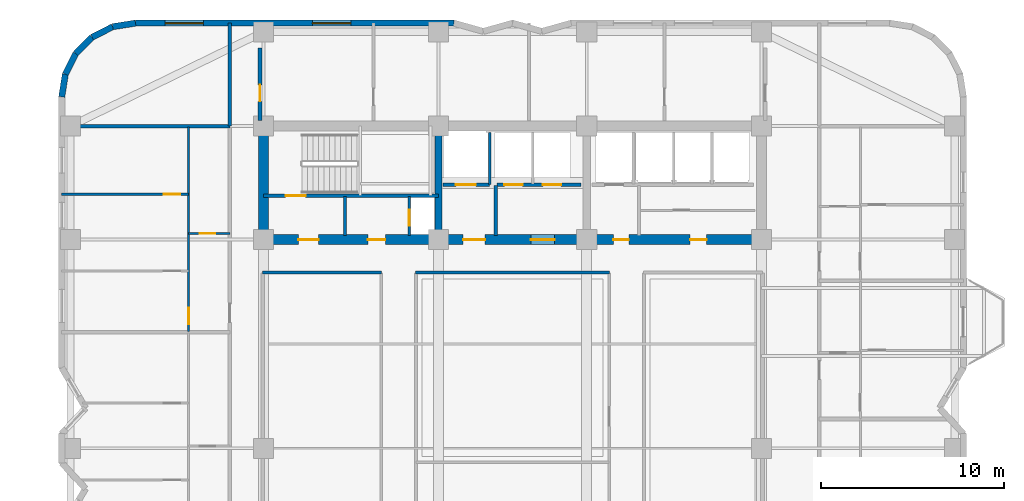
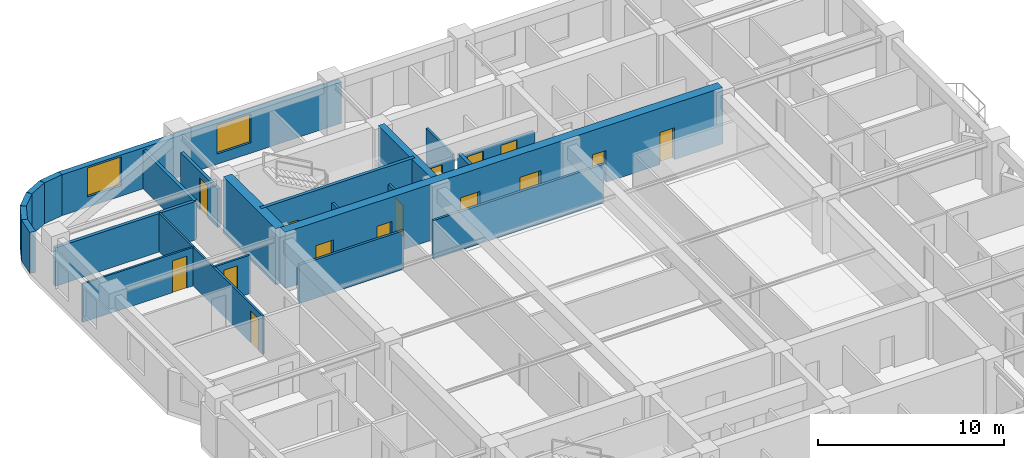
# One storey, part 6 of 11: 24 walls, 15 doors, 2 windows, 17 openings.
"""IFC4 building model written with IfcOpenShell, lengths in metres."""

from ifc_helpers import new_model, si_unit, direction, frame, frame_2d, origin, place, context, subcontext, project, spatial, rectangle, extrude, material, layer, layer_set, type_object, element, fill, save


model = new_model("IFC4")

# Units and contexts
model_context = context("Model", 3, precision=1e-05, world=origin(), true_north=direction((0.0, 1.0)))
body_context = subcontext(model_context, "Body", "Model", "MODEL_VIEW")
ifc_project = project(units=[si_unit("LENGTHUNIT", "METRE"), si_unit("AREAUNIT", "SQUARE_METRE"), si_unit("VOLUMEUNIT", "CUBIC_METRE"), si_unit("PLANEANGLEUNIT", "RADIAN"), si_unit("MASSUNIT", "GRAM", prefix="KILO")], contexts=[model_context])

# Site, building, storey
site_placement = place(None, origin())
site = spatial("IfcSite", under=ifc_project, at=site_placement, CompositionType="ELEMENT")
building_placement = place(site_placement, origin())
building = spatial("IfcBuilding", under=site, at=building_placement, Name="Svetorya Sky Lyceum", CompositionType="ELEMENT")
storey_placement = place(building_placement, frame((0.0, 0.0, 106.800048828125)))
storey = spatial("IfcBuildingStorey", under=building, at=storey_placement, Name="L26", CompositionType="ELEMENT", Elevation=106.800048828125)

# Walls
ifc_material_1 = material(Name="Concrete C40/50", Category="concrete")
ifc_layer_1 = layer(ifc_material_1, 0.39990234375)
ifc_layer_set_1 = layer_set([ifc_layer_1], Name="Concrete C40/50")
wall_type_1 = type_object("IfcWallType", Name="WL-CORE-400", PredefinedType="SHEAR", material=ifc_layer_set_1)
wall_1_placement = place(storey_placement, frame((35.14990234375, 39.875, 0.0), z_axis=(0.0, 0.0, 1.0), x_axis=(0.0, 1.0, 0.0)))
element("IfcWall", 1, at=wall_1_placement, inside=storey, type_object=wall_type_1, Name="L26 NC Internal Shear Web WEB1", PredefinedType="SHEAR", context=body_context, shape_type="SweptSolid", body=[
    extrude(rectangle(XDim=5.64990234375, YDim=0.39990234375, at=frame_2d((2.824951171875, 0.0))), origin(), (0.0, 0.0, 1.0), 3.699951171875),
])
ifc_material_2 = material(Name="Concrete C60/75", Category="concrete")
ifc_layer_2 = layer(ifc_material_2, 0.550048828125)
ifc_layer_set_2 = layer_set([ifc_layer_2], Name="Concrete C60/75")
wall_type_2 = type_object("IfcWallType", Name="WL-CORE-550", PredefinedType="SHEAR", material=ifc_layer_set_2)
wall_2_placement = place(storey_placement, frame((25.60009765625, 39.875, 0.0), z_axis=(0.0, 0.0, 1.0), x_axis=(0.0, 1.0, 0.0)))
element("IfcWall", 2, at=wall_2_placement, inside=storey, type_object=wall_type_2, Name="L26 NC West Core Shear Wall", PredefinedType="SHEAR", context=body_context, shape_type="SweptSolid", body=[
    extrude(rectangle(XDim=5.64990234375, YDim=0.550048828125, at=frame_2d((2.824951171875, 0.0))), origin(), (0.0, 0.0, 1.0), 3.699951171875),
])

# Wall, openings, doors
wall_3_placement = place(storey_placement, frame((52.800048828125, 39.60009765625, 0.0), z_axis=(0.0, 0.0, 1.0), x_axis=(-1.0, 0.0, 0.0)))
wall_3 = element("IfcWall", 3, at=wall_3_placement, inside=storey, type_object=wall_type_2, Name="L26 NC Inner Core Shear Wall", PredefinedType="SHEAR", context=body_context, shape_type="SweptSolid", body=[
    extrude(rectangle(XDim=27.199951171875, YDim=0.550048828125, at=frame_2d((13.60009765625, 0.0))), origin(), (0.0, 0.0, 1.0), 3.699951171875),
])
opening_1_placement = place(wall_3_placement, frame((24.199951171875, 0.0, 0.0)))
opening_1 = element("IfcOpeningElement", 4, at=opening_1_placement, cuts=wall_3, Name="Opening D-ST1", PredefinedType="OPENING", context=body_context, shape_type="SweptSolid", body=[
    extrude(rectangle(XDim=1.10009765625, YDim=2.14990234375, at=frame_2d((0.550048828125, 1.074951171875))), frame((0.0, 0.284912109375, 0.0), z_axis=(0.0, -1.0, 0.0), x_axis=(1.0, 0.0, 0.0)), (0.0, 0.0, 1.0), 0.570068359375),
])
opening_2_placement = place(wall_3_placement, frame((20.550048828125, 0.0, 0.0)))
opening_2 = element("IfcOpeningElement", 5, at=opening_2_placement, cuts=wall_3, Name="Opening D-CAC1", PredefinedType="OPENING", context=body_context, shape_type="SweptSolid", body=[
    extrude(rectangle(XDim=0.949951171875, YDim=2.10009765625, at=frame_2d((0.47509765625, 1.050048828125))), frame((0.0, 0.284912109375, 0.0), z_axis=(0.0, -1.0, 0.0), x_axis=(1.0, 0.0, 0.0)), (0.0, 0.0, 1.0), 0.570068359375),
])
opening_3_placement = place(wall_3_placement, frame((15.10009765625, 0.0, 0.0)))
opening_3 = element("IfcOpeningElement", 6, at=opening_3_placement, cuts=wall_3, Name="Opening D-FL1", PredefinedType="OPENING", context=body_context, shape_type="SweptSolid", body=[
    extrude(rectangle(XDim=1.199951171875, YDim=2.14990234375, at=frame_2d((0.60009765625, 1.074951171875))), frame((0.0, 0.284912109375, 0.0), z_axis=(0.0, -1.0, 0.0), x_axis=(1.0, 0.0, 0.0)), (0.0, 0.0, 1.0), 0.570068359375),
])
opening_4_placement = place(wall_3_placement, frame((11.300048828125, 0.0, 0.0)))
opening_4 = element("IfcOpeningElement", 7, at=opening_4_placement, cuts=wall_3, Name="Opening D-LB1", PredefinedType="OPENING", context=body_context, shape_type="SweptSolid", body=[
    extrude(rectangle(XDim=1.300048828125, YDim=2.199951171875, at=frame_2d((0.64990234375, 1.10009765625))), frame((0.0, 0.284912109375, 0.0), z_axis=(0.0, -1.0, 0.0), x_axis=(1.0, 0.0, 0.0)), (0.0, 0.0, 1.0), 0.570068359375),
])
opening_5_placement = place(wall_3_placement, frame((7.25, 0.0, 0.0)))
opening_5 = element("IfcOpeningElement", 8, at=opening_5_placement, cuts=wall_3, Name="Opening D-CWC1", PredefinedType="OPENING", context=body_context, shape_type="SweptSolid", body=[
    extrude(rectangle(XDim=0.85009765625, YDim=2.10009765625, at=frame_2d((0.425048828125, 1.050048828125))), frame((0.0, 0.284912109375, 0.0), z_axis=(0.0, -1.0, 0.0), x_axis=(1.0, 0.0, 0.0)), (0.0, 0.0, 1.0), 0.570068359375),
])
opening_6_placement = place(wall_3_placement, frame((3.0, 0.0, 0.0)))
opening_6 = element("IfcOpeningElement", 9, at=opening_6_placement, cuts=wall_3, Name="Opening D-RM1", PredefinedType="OPENING", context=body_context, shape_type="SweptSolid", body=[
    extrude(rectangle(XDim=0.89990234375, YDim=2.10009765625, at=frame_2d((0.449951171875, 1.050048828125))), frame((0.0, 0.284912109375, 0.0), z_axis=(0.0, -1.0, 0.0), x_axis=(1.0, 0.0, 0.0)), (0.0, 0.0, 1.0), 0.570068359375),
])
ifc_material_3 = material(Name="Fire-rated galvanized steel core accessible WC door", Category="steel")
door_type_1 = type_object("IfcDoorType", Name="DR-CACC-950", OperationType="SINGLE_SWING_LEFT", PredefinedType="DOOR", material=ifc_material_3)
door_1_placement = place(opening_2_placement, origin())
door_1 = element("IfcDoor", 10, at=door_1_placement, inside=storey, type_object=door_type_1, Name="L26 North Core Accessible WC Door", OperationType="SINGLE_SWING_RIGHT", OverallHeight=2.10009765625, OverallWidth=0.949951171875, PredefinedType="DOOR", context=body_context, shape_type="SweptSolid", body=[
    extrude(rectangle(XDim=0.949951171875, YDim=2.10009765625, at=frame_2d((0.47509765625, 1.050048828125))), frame((0.0, 0.02490234375, 0.0), z_axis=(0.0, -1.0, 0.0), x_axis=(1.0, 0.0, 0.0)), (0.0, 0.0, 1.0), 0.050048828125),
])
fill(opening_2, door_1)
ifc_material_4 = material(Name="Fire-rated galvanized steel core service closet door", Category="steel")
door_type_2 = type_object("IfcDoorType", Name="DR-CWET-850", OperationType="SINGLE_SWING_LEFT", PredefinedType="DOOR", material=ifc_material_4)
door_2_placement = place(opening_5_placement, origin())
door_2 = element("IfcDoor", 11, at=door_2_placement, inside=storey, type_object=door_type_2, Name="L26 Mid-Rise Lift PM3 Lobby Door", OperationType="SINGLE_SWING_LEFT", OverallHeight=2.10009765625, OverallWidth=0.85009765625, PredefinedType="DOOR", context=body_context, shape_type="SweptSolid", body=[
    extrude(rectangle(XDim=0.85009765625, YDim=2.10009765625, at=frame_2d((0.425048828125, 1.050048828125))), frame((0.0, 0.02490234375, 0.0), z_axis=(0.0, -1.0, 0.0), x_axis=(1.0, 0.0, 0.0)), (0.0, 0.0, 1.0), 0.050048828125),
])
fill(opening_5, door_2)
ifc_material_5 = material(Name="Powder-coated insulated galvanized stair fire door")
door_type_3 = type_object("IfcDoorType", Name="DR-FIRE-1100", OperationType="SINGLE_SWING_LEFT", PredefinedType="DOOR", material=ifc_material_5)
door_3_placement = place(opening_1_placement, origin())
door_3 = element("IfcDoor", 12, at=door_3_placement, inside=storey, type_object=door_type_3, Name="L26 North Stair Airlock Door", OperationType="SINGLE_SWING_LEFT", OverallHeight=2.14990234375, OverallWidth=1.10009765625, PredefinedType="DOOR", context=body_context, shape_type="SweptSolid", body=[
    extrude(rectangle(XDim=1.10009765625, YDim=2.14990234375, at=frame_2d((0.550048828125, 1.074951171875))), frame((0.0, 0.02490234375, 0.0), z_axis=(0.0, -1.0, 0.0), x_axis=(1.0, 0.0, 0.0)), (0.0, 0.0, 1.0), 0.050048828125),
])
fill(opening_1, door_3)
ifc_material_6 = material(Name="Powder-coated insulated galvanized fire door")
door_type_4 = type_object("IfcDoorType", Name="DR-FIRE-1200", OperationType="SINGLE_SWING_LEFT", PredefinedType="DOOR", material=ifc_material_6)
door_4_placement = place(opening_3_placement, origin())
door_4 = element("IfcDoor", 13, at=door_4_placement, inside=storey, type_object=door_type_4, Name="L26 North Firefighting Lift Lobby Door", OperationType="SINGLE_SWING_RIGHT", OverallHeight=2.14990234375, OverallWidth=1.199951171875, PredefinedType="DOOR", context=body_context, shape_type="SweptSolid", body=[
    extrude(rectangle(XDim=1.199951171875, YDim=2.14990234375, at=frame_2d((0.60009765625, 1.074951171875))), frame((0.0, 0.02490234375, 0.0), z_axis=(0.0, -1.0, 0.0), x_axis=(1.0, 0.0, 0.0)), (0.0, 0.0, 1.0), 0.050048828125),
])
fill(opening_3, door_4)
ifc_material_7 = material(Name="Lacquered birch veneer internal door")
door_type_5 = type_object("IfcDoorType", Name="DR-INT-900", OperationType="SINGLE_SWING_LEFT", PredefinedType="DOOR", material=ifc_material_7)
door_5_placement = place(opening_6_placement, origin())
door_5 = element("IfcDoor", 14, at=door_5_placement, inside=storey, type_object=door_type_5, Name="L26 Mid-Rise Pantry Door", OperationType="SINGLE_SWING_LEFT", OverallHeight=2.10009765625, OverallWidth=0.89990234375, PredefinedType="DOOR", context=body_context, shape_type="SweptSolid", body=[
    extrude(rectangle(XDim=0.89990234375, YDim=2.10009765625, at=frame_2d((0.449951171875, 1.050048828125))), frame((0.0, 0.02490234375, 0.0), z_axis=(0.0, -1.0, 0.0), x_axis=(1.0, 0.0, 0.0)), (0.0, 0.0, 1.0), 0.050048828125),
])
fill(opening_6, door_5)
ifc_material_8 = material(Name="Glazed fire-rated aluminium lobby door", Category="aluminium")
door_type_6 = type_object("IfcDoorType", Name="DR-LOB-1300", OperationType="SINGLE_SWING_LEFT", PredefinedType="DOOR", material=ifc_material_8)
door_6_placement = place(opening_4_placement, origin())
door_6 = element("IfcDoor", 15, at=door_6_placement, inside=storey, type_object=door_type_6, Name="L26 Mid-Rise Lift Lobby West Door", OperationType="SINGLE_SWING_LEFT", OverallHeight=2.199951171875, OverallWidth=1.300048828125, PredefinedType="DOOR", context=body_context, shape_type="SweptSolid", body=[
    extrude(rectangle(XDim=1.300048828125, YDim=2.199951171875, at=frame_2d((0.64990234375, 1.10009765625))), frame((0.0, 0.02490234375, 0.0), z_axis=(0.0, -1.0, 0.0), x_axis=(1.0, 0.0, 0.0)), (0.0, 0.0, 1.0), 0.050048828125),
])
fill(opening_4, door_6)

# Wall, openings, windows
ifc_material_9 = material(Name="Putilovo limestone rainscreen on autoclaved cellular masonry", Category="masonry")
ifc_layer_3 = layer(ifc_material_9, 0.340087890625)
ifc_layer_set_3 = layer_set([ifc_layer_3], Name="Putilovo limestone rainscreen on autoclaved cellular masonry")
wall_type_3 = type_object("IfcWallType", Name="WL-EXT-340", PredefinedType="SOLIDWALL", material=ifc_layer_set_3)
wall_4_placement = place(storey_placement, frame((36.0, 51.429931640625, 0.0), z_axis=(0.0, 0.0, 1.0), x_axis=(-1.0, 0.0, 0.0)))
wall_4 = element("IfcWall", 16, at=wall_4_placement, inside=storey, type_object=wall_type_3, Name="L26 Limestone Exterior Wall 34M", PredefinedType="SOLIDWALL", context=body_context, shape_type="SweptSolid", body=[
    extrude(rectangle(XDim=17.39990234375, YDim=0.340087890625, at=frame_2d((8.699951171875, 0.0))), origin(), (0.0, 0.0, 1.0), 2.699951171875),
])
opening_7_placement = place(wall_4_placement, frame((5.637451171875, 0.0, 0.679931640625)))
opening_7 = element("IfcOpeningElement", 17, at=opening_7_placement, cuts=wall_4, Name="Opening W-R0", PredefinedType="OPENING", context=body_context, shape_type="SweptSolid", body=[
    extrude(rectangle(XDim=2.10009765625, YDim=1.89990234375, at=frame_2d((1.050048828125, 0.949951171875))), frame((0.0, 0.179931640625, 0.0), z_axis=(0.0, -1.0, 0.0), x_axis=(1.0, 0.0, 0.0)), (0.0, 0.0, 1.0), 0.360107421875),
])
opening_8_placement = place(wall_4_placement, frame((13.6875, 0.0, 0.679931640625)))
opening_8 = element("IfcOpeningElement", 18, at=opening_8_placement, cuts=wall_4, Name="Opening W-R0", PredefinedType="OPENING", context=body_context, shape_type="SweptSolid", body=[
    extrude(rectangle(XDim=2.10009765625, YDim=1.89990234375, at=frame_2d((1.050048828125, 0.949951171875))), frame((0.0, 0.179931640625, 0.0), z_axis=(0.0, -1.0, 0.0), x_axis=(1.0, 0.0, 0.0)), (0.0, 0.0, 1.0), 0.360107421875),
])
ifc_material_10 = material(Name="Thermally broken aluminium frame with triple low-E glazing", Category="aluminium")
window_type = type_object("IfcWindowType", Name="WN-RES-210", PartitioningType="TRIPLE_PANEL_VERTICAL", PredefinedType="WINDOW", material=ifc_material_10)
window_1_placement = place(opening_7_placement, origin())
window_1 = element("IfcWindow", 19, at=window_1_placement, inside=storey, type_object=window_type, Name="L26 Facade Window W-R0.34M.1", OverallHeight=1.89990234375, OverallWidth=2.10009765625, PartitioningType="SINGLE_PANEL", PredefinedType="WINDOW", context=body_context, shape_type="SweptSolid", body=[
    extrude(rectangle(XDim=2.10009765625, YDim=1.89990234375, at=frame_2d((1.050048828125, 0.949951171875))), frame((0.0, 0.030029296875, 0.0), z_axis=(0.0, -1.0, 0.0), x_axis=(1.0, 0.0, 0.0)), (0.0, 0.0, 1.0), 0.06005859375),
])
fill(opening_7, window_1)
window_2_placement = place(opening_8_placement, origin())
window_2 = element("IfcWindow", 20, at=window_2_placement, inside=storey, type_object=window_type, Name="L26 Facade Window W-R0.34M.2", OverallHeight=1.89990234375, OverallWidth=2.10009765625, PartitioningType="SINGLE_PANEL", PredefinedType="WINDOW", context=body_context, shape_type="SweptSolid", body=[
    extrude(rectangle(XDim=2.10009765625, YDim=1.89990234375, at=frame_2d((1.050048828125, 0.949951171875))), frame((0.0, 0.030029296875, 0.0), z_axis=(0.0, -1.0, 0.0), x_axis=(1.0, 0.0, 0.0)), (0.0, 0.0, 1.0), 0.06005859375),
])
fill(opening_8, window_2)

# Walls
wall_5_placement = place(storey_placement, frame((18.60009765625, 51.429931640625, 0.0), z_axis=(0.0, 0.0, 1.0), x_axis=(-0.98771582066, -0.156260864002, 0.0)))
element("IfcWall", 21, at=wall_5_placement, inside=storey, type_object=wall_type_3, Name="L26 Limestone Exterior Wall 35M", PredefinedType="SOLIDWALL", context=body_context, shape_type="SweptSolid", body=[
    extrude(rectangle(XDim=1.2607421875, YDim=0.340087890625, at=frame_2d((0.63037109375, 0.0))), origin(), (0.0, 0.0, 1.0), 2.699951171875),
])
for number, where, z_axis, x_axis, name in (
    (22, (17.354736328125, 51.23291015625, 0.0), (0.0, 0.0, 1.0), (-0.890993689142, -0.454015689056, 0.0), "L26 Limestone Exterior Wall 36M"),
    (23, (16.231201171875, 50.660400390625, 0.0), (0.0, 0.0, 1.0), (-0.707106781187, -0.707106781187, 0.0), "L26 Limestone Exterior Wall 37M"),
    (24, (15.339599609375, 49.768798828125, 0.0), (0.0, 0.0, 1.0), (-0.454015689056, -0.890993689142, 0.0), "L26 Limestone Exterior Wall 38M"),
):
    element("IfcWall", number, at=place(storey_placement, frame(where, z_axis=z_axis, x_axis=x_axis)), inside=storey, type_object=wall_type_3, Name=name, PredefinedType="SOLIDWALL", context=body_context, shape_type="SweptSolid", body=[
        extrude(rectangle(XDim=1.260986328125, YDim=0.340087890625, at=frame_2d((0.63037109375, 0.0))), origin(), (0.0, 0.0, 1.0), 2.699951171875),
    ])
wall_6_placement = place(storey_placement, frame((14.76708984375, 48.645263671875, 0.0), z_axis=(0.0, 0.0, 1.0), x_axis=(-0.156260864002, -0.98771582066, 0.0)))
element("IfcWall", 25, at=wall_6_placement, inside=storey, type_object=wall_type_3, Name="L26 Limestone Exterior Wall 39M", PredefinedType="SOLIDWALL", context=body_context, shape_type="SweptSolid", body=[
    extrude(rectangle(XDim=1.2607421875, YDim=0.340087890625, at=frame_2d((0.63037109375, 0.0))), origin(), (0.0, 0.0, 1.0), 2.699951171875),
])

# Wall, opening, door
ifc_material_11 = material(Name="Twin-stud galvanized framing with double fireboard", Category="gypsum")
ifc_layer_4 = layer(ifc_material_11, 0.1201171875)
ifc_layer_set_4 = layer_set([ifc_layer_4], Name="Twin-stud galvanized framing with double fireboard")
wall_type_4 = type_object("IfcWallType", Name="WL-PART-120", PredefinedType="PARTITIONING", material=ifc_layer_set_4)
wall_7_placement = place(storey_placement, frame((21.5, 39.93603515625, 0.0), z_axis=(0.0, 0.0, 1.0), x_axis=(1.0, 0.0, 0.0)))
wall_7 = element("IfcWall", 26, at=wall_7_placement, inside=storey, type_object=wall_type_4, Name="L26 Interior Partition W3-WH1", PredefinedType="PARTITIONING", context=body_context, shape_type="SweptSolid", body=[
    extrude(rectangle(XDim=2.25, YDim=0.1201171875, at=frame_2d((1.125, 0.0))), origin(), (0.0, 0.0, 1.0), 2.530029296875),
])
opening_9_placement = place(wall_7_placement, frame((0.60009765625, 0.0, 0.0)))
opening_9 = element("IfcOpeningElement", 27, at=opening_9_placement, cuts=wall_7, Name="Opening D-BT1", PredefinedType="OPENING", context=body_context, shape_type="SweptSolid", body=[
    extrude(rectangle(XDim=0.85009765625, YDim=2.10009765625, at=frame_2d((0.425048828125, 1.050048828125))), frame((0.0, 0.070068359375, 0.0), z_axis=(0.0, -1.0, 0.0), x_axis=(1.0, 0.0, 0.0)), (0.0, 0.0, 1.0), 0.14013671875),
])
ifc_material_12 = material(Name="Moisture-resistant laminate bathroom door")
door_type_7 = type_object("IfcDoorType", Name="DR-WET-850", OperationType="SINGLE_SWING_LEFT", PredefinedType="DOOR", material=ifc_material_12)
door_7_placement = place(opening_9_placement, origin())
door_7 = element("IfcDoor", 28, at=door_7_placement, inside=storey, type_object=door_type_7, Name="Apartment W3 Bathroom Door", OperationType="SINGLE_SWING_LEFT", OverallHeight=2.10009765625, OverallWidth=0.85009765625, PredefinedType="DOOR", context=body_context, shape_type="SweptSolid", body=[
    extrude(rectangle(XDim=0.85009765625, YDim=2.10009765625, at=frame_2d((0.425048828125, 1.050048828125))), frame((0.0, 0.02490234375, 0.0), z_axis=(0.0, -1.0, 0.0), x_axis=(1.0, 0.0, 0.0)), (0.0, 0.0, 1.0), 0.050048828125),
])
fill(opening_9, door_7)

wall_8_placement = place(storey_placement, frame((14.570068359375, 42.0859375, 0.0), z_axis=(0.0, 0.0, 1.0), x_axis=(1.0, 0.0, 0.0)))
wall_8 = element("IfcWall", 29, at=wall_8_placement, inside=storey, type_object=wall_type_4, Name="L26 Interior Partition W3-WL2", PredefinedType="PARTITIONING", context=body_context, shape_type="SweptSolid", body=[
    extrude(rectangle(XDim=6.929931640625, YDim=0.1201171875, at=frame_2d((3.46484375, 0.0))), origin(), (0.0, 0.0, 1.0), 2.530029296875),
])
opening_10_placement = place(wall_8_placement, frame((5.580078125, 0.0, 0.0)))
opening_10 = element("IfcOpeningElement", 30, at=opening_10_placement, cuts=wall_8, Name="Opening D-RM1", PredefinedType="OPENING", context=body_context, shape_type="SweptSolid", body=[
    extrude(rectangle(XDim=0.89990234375, YDim=2.10009765625, at=frame_2d((0.449951171875, 1.050048828125))), frame((0.0, 0.070068359375, 0.0), z_axis=(0.0, -1.0, 0.0), x_axis=(1.0, 0.0, 0.0)), (0.0, 0.0, 1.0), 0.14013671875),
])
door_8_placement = place(opening_10_placement, origin())
door_8 = element("IfcDoor", 31, at=door_8_placement, inside=storey, type_object=door_type_5, Name="Apartment W3 Bedroom 2 Door", OperationType="SINGLE_SWING_RIGHT", OverallHeight=2.10009765625, OverallWidth=0.89990234375, PredefinedType="DOOR", context=body_context, shape_type="SweptSolid", body=[
    extrude(rectangle(XDim=0.89990234375, YDim=2.10009765625, at=frame_2d((0.449951171875, 1.050048828125))), frame((0.0, 0.02490234375, 0.0), z_axis=(0.0, -1.0, 0.0), x_axis=(1.0, 0.0, 0.0)), (0.0, 0.0, 1.0), 0.050048828125),
])
fill(opening_10, door_8)

wall_9_placement = place(storey_placement, frame((21.5, 34.575927734375, 0.0), z_axis=(0.0, 0.0, 1.0), x_axis=(0.0, 1.0, 0.0)))
wall_9 = element("IfcWall", 32, at=wall_9_placement, inside=storey, type_object=wall_type_4, Name="L26 Interior Partition W3-WV", PredefinedType="PARTITIONING", context=body_context, shape_type="SweptSolid", body=[
    extrude(rectangle(XDim=11.18408203125, YDim=0.1201171875, at=frame_2d((5.592041015625, 0.0))), origin(), (0.0, 0.0, 1.0), 2.530029296875),
])
opening_11_placement = place(wall_9_placement, frame((0.409912109375, 0.0, 0.0)))
opening_11 = element("IfcOpeningElement", 33, at=opening_11_placement, cuts=wall_9, Name="Opening D-RM1", PredefinedType="OPENING", context=body_context, shape_type="SweptSolid", body=[
    extrude(rectangle(XDim=0.89990234375, YDim=2.10009765625, at=frame_2d((0.449951171875, 1.050048828125))), frame((0.0, 0.070068359375, 0.0), z_axis=(0.0, -1.0, 0.0), x_axis=(1.0, 0.0, 0.0)), (0.0, 0.0, 1.0), 0.14013671875),
])
door_9_placement = place(opening_11_placement, origin())
door_9 = element("IfcDoor", 34, at=door_9_placement, inside=storey, type_object=door_type_5, Name="Apartment W3 Living Door", OperationType="SINGLE_SWING_RIGHT", OverallHeight=2.10009765625, OverallWidth=0.89990234375, PredefinedType="DOOR", context=body_context, shape_type="SweptSolid", body=[
    extrude(rectangle(XDim=0.89990234375, YDim=2.10009765625, at=frame_2d((0.449951171875, 1.050048828125))), frame((0.0, 0.02490234375, 0.0), z_axis=(0.0, -1.0, 0.0), x_axis=(1.0, 0.0, 0.0)), (0.0, 0.0, 1.0), 0.050048828125),
])
fill(opening_11, door_9)

ifc_material_13 = material(Name="Autoclaved cellular masonry blockwork with acoustic render", Category="masonry")
ifc_layer_5 = layer(ifc_material_13, 0.14990234375)
ifc_layer_set_5 = layer_set([ifc_layer_5], Name="Autoclaved cellular masonry blockwork with acoustic render")
wall_type_5 = type_object("IfcWallType", Name="WL-PART-150", PredefinedType="PARTITIONING", material=ifc_layer_set_5)
wall_10_placement = place(storey_placement, frame((33.550048828125, 39.820068359375, 0.0), z_axis=(0.0, 0.0, 1.0), x_axis=(0.0, 1.0, 0.0)))
wall_10 = element("IfcWall", 35, at=wall_10_placement, inside=storey, type_object=wall_type_5, Name="L26 Interior Partition NC-RSRW", PredefinedType="PARTITIONING", context=body_context, shape_type="SweptSolid", body=[
    extrude(rectangle(XDim=2.1298828125, YDim=0.14990234375, at=frame_2d((1.06494140625, 0.0))), origin(), (0.0, 0.0, 1.0), 2.530029296875),
])
opening_12_placement = place(wall_10_placement, frame((0.550048828125, 0.0, 0.0)))
opening_12 = element("IfcOpeningElement", 36, at=opening_12_placement, cuts=wall_10, Name="Opening D-SH1", PredefinedType="OPENING", context=body_context, shape_type="SweptSolid", body=[
    extrude(rectangle(XDim=0.85009765625, YDim=2.050048828125, at=frame_2d((0.425048828125, 1.02490234375))), frame((0.0, 0.0849609375, 0.0), z_axis=(0.0, -1.0, 0.0), x_axis=(1.0, 0.0, 0.0)), (0.0, 0.0, 1.0), 0.169921875),
])
ifc_material_14 = material(Name="Insulated galvanized riser inspection fire door")
door_type_8 = type_object("IfcDoorType", Name="DR-SHFT-850", OperationType="SINGLE_SWING_LEFT", PredefinedType="TRAPDOOR", material=ifc_material_14)
door_10_placement = place(opening_12_placement, origin())
door_10 = element("IfcDoor", 37, at=door_10_placement, inside=storey, type_object=door_type_8, Name="L26 North Riser Access Door", OperationType="SINGLE_SWING_LEFT", OverallHeight=2.050048828125, OverallWidth=0.85009765625, PredefinedType="TRAPDOOR", context=body_context, shape_type="SweptSolid", body=[
    extrude(rectangle(XDim=0.85009765625, YDim=2.050048828125, at=frame_2d((0.425048828125, 1.02490234375))), frame((0.0, 0.02490234375, 0.0), z_axis=(0.0, -1.0, 0.0), x_axis=(1.0, 0.0, 0.0)), (0.0, 0.0, 1.0), 0.050048828125),
])
fill(opening_12, door_10)

# Walls
wall_11_placement = place(storey_placement, frame((30.050048828125, 39.820068359375, 0.0), z_axis=(0.0, 0.0, 1.0), x_axis=(0.0, 1.0, 0.0)))
element("IfcWall", 38, at=wall_11_placement, inside=storey, type_object=wall_type_5, Name="L26 Interior Partition NC-NWD1", PredefinedType="PARTITIONING", context=body_context, shape_type="SweptSolid", body=[
    extrude(rectangle(XDim=2.1298828125, YDim=0.14990234375, at=frame_2d((1.06494140625, 0.0))), origin(), (0.0, 0.0, 1.0), 2.530029296875),
])
wall_12_placement = place(storey_placement, frame((37.949951171875, 42.60009765625, 0.0), z_axis=(0.0, 0.0, 1.0), x_axis=(0.0, 1.0, 0.0)))
element("IfcWall", 39, at=wall_12_placement, inside=storey, type_object=wall_type_5, Name="L26 Interior Partition NC-FL1SIDE", PredefinedType="PARTITIONING", context=body_context, shape_type="SweptSolid", body=[
    extrude(rectangle(XDim=2.849853515625, YDim=0.14990234375, at=frame_2d((1.4248046875, 0.0))), origin(), (0.0, 0.0, 1.0), 2.530029296875),
])
wall_13_placement = place(storey_placement, frame((25.550048828125, 37.800048828125, 0.0), z_axis=(0.0, 0.0, 1.0), x_axis=(1.0, 0.0, 0.0)))
element("IfcWall", 40, at=wall_13_placement, inside=storey, type_object=wall_type_5, Name="L26 Interior Partition RL-CN-W", PredefinedType="PARTITIONING", context=body_context, shape_type="SweptSolid", body=[
    extrude(rectangle(XDim=6.5, YDim=0.14990234375, at=frame_2d((3.25, 0.0))), origin(), (0.0, 0.0, 1.0), 2.530029296875),
])
wall_14_placement = place(storey_placement, frame((33.89990234375, 37.800048828125, 0.0), z_axis=(0.0, 0.0, 1.0), x_axis=(1.0, 0.0, 0.0)))
element("IfcWall", 41, at=wall_14_placement, inside=storey, type_object=wall_type_5, Name="L26 Interior Partition RL-CN-M", PredefinedType="PARTITIONING", context=body_context, shape_type="SweptSolid", body=[
    extrude(rectangle(XDim=10.60009765625, YDim=0.14990234375, at=frame_2d((5.300048828125, 0.0))), origin(), (0.0, 0.0, 1.0), 2.530029296875),
])

# Wall, opening, door
ifc_material_15 = material(Name="Autoclaved cellular masonry blockwork with gypsum plaster", Category="masonry")
ifc_layer_6 = layer(ifc_material_15, 0.199951171875)
ifc_layer_set_6 = layer_set([ifc_layer_6], Name="Autoclaved cellular masonry blockwork with gypsum plaster")
wall_type_6 = type_object("IfcWallType", Name="WL-PART-200", PredefinedType="PARTITIONING", material=ifc_layer_set_6)
wall_15_placement = place(storey_placement, frame((37.949951171875, 42.60009765625, 0.0), z_axis=(0.0, 0.0, 1.0), x_axis=(-1.0, 0.0, 0.0)))
wall_15 = element("IfcWall", 42, at=wall_15_placement, inside=storey, type_object=wall_type_6, Name="L26 Interior Partition NC-FL1W", PredefinedType="PARTITIONING", context=body_context, shape_type="SweptSolid", body=[
    extrude(rectangle(XDim=2.550048828125, YDim=0.199951171875, at=frame_2d((1.27490234375, 0.0))), origin(), (0.0, 0.0, 1.0), 2.300048828125),
])
opening_13_placement = place(wall_15_placement, frame((0.75, 0.0, 0.0)))
opening_13 = element("IfcOpeningElement", 43, at=opening_13_placement, cuts=wall_15, Name="Opening LD-FL", PredefinedType="OPENING", context=body_context, shape_type="SweptSolid", body=[
    extrude(rectangle(XDim=1.10009765625, YDim=2.14990234375, at=frame_2d((0.550048828125, 1.074951171875))), frame((0.0, 0.10986328125, 0.0), z_axis=(0.0, -1.0, 0.0), x_axis=(1.0, 0.0, 0.0)), (0.0, 0.0, 1.0), 0.219970703125),
])
ifc_material_16 = material(Name="Fire-rated stainless AISI 304 firefighting lift landing door")
door_type_9 = type_object("IfcDoorType", Name="DR-LIFT-1100", OperationType="SLIDING_TO_LEFT", PredefinedType="DOOR", material=ifc_material_16)
door_11_placement = place(opening_13_placement, origin())
door_11 = element("IfcDoor", 44, at=door_11_placement, inside=storey, type_object=door_type_9, Name="L26 Firefighting Lift FL1 Landing Door", OperationType="SLIDING_TO_LEFT", OverallHeight=2.14990234375, OverallWidth=1.10009765625, PredefinedType="DOOR", context=body_context, shape_type="SweptSolid", body=[
    extrude(rectangle(XDim=1.10009765625, YDim=2.14990234375, at=frame_2d((0.550048828125, 1.074951171875))), frame((0.0, 0.02490234375, 0.0), z_axis=(0.0, -1.0, 0.0), x_axis=(1.0, 0.0, 0.0)), (0.0, 0.0, 1.0), 0.050048828125),
])
fill(opening_13, door_11)

# Wall
wall_16_placement = place(storey_placement, frame((38.280029296875, 39.820068359375, 0.0), z_axis=(0.0, 0.0, 1.0), x_axis=(0.0, 1.0, 0.0)))
element("IfcWall", 45, at=wall_16_placement, inside=storey, type_object=wall_type_6, Name="L26 Interior Partition NC-FFLDIV", PredefinedType="PARTITIONING", context=body_context, shape_type="SweptSolid", body=[
    extrude(rectangle(XDim=2.72998046875, YDim=0.199951171875, at=frame_2d((1.364990234375, 0.0))), origin(), (0.0, 0.0, 1.0), 2.530029296875),
])

# Wall, openings, doors
wall_17_placement = place(storey_placement, frame((42.949951171875, 42.60009765625, 0.0), z_axis=(0.0, 0.0, 1.0), x_axis=(-1.0, 0.0, 0.0)))
wall_17 = element("IfcWall", 46, at=wall_17_placement, inside=storey, type_object=wall_type_6, Name="L26 Interior Partition NC-PM12W", PredefinedType="PARTITIONING", context=body_context, shape_type="SweptSolid", body=[
    extrude(rectangle(XDim=4.599853515625, YDim=0.199951171875, at=frame_2d((2.2998046875, 0.0))), origin(), (0.0, 0.0, 1.0), 2.300048828125),
])
opening_14_placement = place(wall_17_placement, frame((3.199951171875, 0.0, 0.0)))
opening_14 = element("IfcOpeningElement", 47, at=opening_14_placement, cuts=wall_17, Name="Opening LD-P1", PredefinedType="OPENING", context=body_context, shape_type="SweptSolid", body=[
    extrude(rectangle(XDim=1.0, YDim=2.14990234375, at=frame_2d((0.5, 1.074951171875))), frame((0.0, 0.10986328125, 0.0), z_axis=(0.0, -1.0, 0.0), x_axis=(1.0, 0.0, 0.0)), (0.0, 0.0, 1.0), 0.219970703125),
])
opening_15_placement = place(wall_17_placement, frame((1.10009765625, 0.0, 0.0)))
opening_15 = element("IfcOpeningElement", 48, at=opening_15_placement, cuts=wall_17, Name="Opening LD-P1", PredefinedType="OPENING", context=body_context, shape_type="SweptSolid", body=[
    extrude(rectangle(XDim=1.0, YDim=2.14990234375, at=frame_2d((0.5, 1.074951171875))), frame((0.0, 0.10986328125, 0.0), z_axis=(0.0, -1.0, 0.0), x_axis=(1.0, 0.0, 0.0)), (0.0, 0.0, 1.0), 0.219970703125),
])
ifc_material_17 = material(Name="Champagne-anodized stainless passenger lift landing door")
door_type_10 = type_object("IfcDoorType", Name="DR-LIFT-1000", OperationType="SLIDING_TO_LEFT", PredefinedType="DOOR", material=ifc_material_17)
door_12_placement = place(opening_14_placement, origin())
door_12 = element("IfcDoor", 49, at=door_12_placement, inside=storey, type_object=door_type_10, Name="L26 Passenger Lift PM1 Landing Door", OperationType="SLIDING_TO_LEFT", OverallHeight=2.14990234375, OverallWidth=1.0, PredefinedType="DOOR", context=body_context, shape_type="SweptSolid", body=[
    extrude(rectangle(XDim=1.0, YDim=2.14990234375, at=frame_2d((0.5, 1.074951171875))), frame((0.0, 0.02490234375, 0.0), z_axis=(0.0, -1.0, 0.0), x_axis=(1.0, 0.0, 0.0)), (0.0, 0.0, 1.0), 0.050048828125),
])
fill(opening_14, door_12)
door_13_placement = place(opening_15_placement, origin())
door_13 = element("IfcDoor", 50, at=door_13_placement, inside=storey, type_object=door_type_10, Name="L26 Passenger Lift PM2 Landing Door", OperationType="SLIDING_TO_LEFT", OverallHeight=2.14990234375, OverallWidth=1.0, PredefinedType="DOOR", context=body_context, shape_type="SweptSolid", body=[
    extrude(rectangle(XDim=1.0, YDim=2.14990234375, at=frame_2d((0.5, 1.074951171875))), frame((0.0, 0.02490234375, 0.0), z_axis=(0.0, -1.0, 0.0), x_axis=(1.0, 0.0, 0.0)), (0.0, 0.0, 1.0), 0.050048828125),
])
fill(opening_15, door_13)

# Walls
wall_18_placement = place(storey_placement, frame((14.989990234375, 45.800048828125, 0.0), z_axis=(0.0, 0.0, 1.0), x_axis=(1.0, 0.0, 0.0)))
element("IfcWall", 51, at=wall_18_placement, inside=storey, type_object=wall_type_6, Name="L26 Interior Partition W-CAP-N", PredefinedType="PARTITIONING", context=body_context, shape_type="SweptSolid", body=[
    extrude(rectangle(XDim=8.760009765625, YDim=0.199951171875, at=frame_2d((4.3798828125, 0.0))), origin(), (0.0, 0.0, 1.0), 2.530029296875),
])
wall_19_placement = place(storey_placement, frame((23.75, 45.800048828125, 0.0), z_axis=(0.0, 0.0, 1.0), x_axis=(0.0, 1.0, 0.0)))
element("IfcWall", 52, at=wall_19_placement, inside=storey, type_object=wall_type_6, Name="L26 Interior Partition WC-NW-END", PredefinedType="PARTITIONING", context=body_context, shape_type="SweptSolid", body=[
    extrude(rectangle(XDim=5.6298828125, YDim=0.199951171875, at=frame_2d((2.81494140625, 0.0))), origin(), (0.0, 0.0, 1.0), 2.530029296875),
])

# Wall, opening, door
wall_20_placement = place(storey_placement, frame((25.39990234375, 46.10009765625, 0.0), z_axis=(0.0, 0.0, 1.0), x_axis=(0.0, 1.0, 0.0)))
wall_20 = element("IfcWall", 53, at=wall_20_placement, inside=storey, type_object=wall_type_6, Name="L26 Interior Partition N4-EW", PredefinedType="PARTITIONING", context=body_context, shape_type="SweptSolid", body=[
    extrude(rectangle(XDim=3.97998046875, YDim=0.199951171875, at=frame_2d((1.989990234375, 0.0))), origin(), (0.0, 0.0, 1.0), 2.530029296875),
])
opening_16_placement = place(wall_20_placement, frame((1.050048828125, 0.0, 0.0)))
opening_16 = element("IfcOpeningElement", 54, at=opening_16_placement, cuts=wall_20, Name="Opening D-RM1", PredefinedType="OPENING", context=body_context, shape_type="SweptSolid", body=[
    extrude(rectangle(XDim=0.89990234375, YDim=2.10009765625, at=frame_2d((0.449951171875, 1.050048828125))), frame((0.0, 0.10986328125, 0.0), z_axis=(0.0, -1.0, 0.0), x_axis=(1.0, 0.0, 0.0)), (0.0, 0.0, 1.0), 0.219970703125),
])
door_14_placement = place(opening_16_placement, origin())
door_14 = element("IfcDoor", 55, at=door_14_placement, inside=storey, type_object=door_type_5, Name="L26 NW Study Door", OperationType="SINGLE_SWING_RIGHT", OverallHeight=2.10009765625, OverallWidth=0.89990234375, PredefinedType="DOOR", context=body_context, shape_type="SweptSolid", body=[
    extrude(rectangle(XDim=0.89990234375, YDim=2.10009765625, at=frame_2d((0.449951171875, 1.050048828125))), frame((0.0, 0.02490234375, 0.0), z_axis=(0.0, -1.0, 0.0), x_axis=(1.0, 0.0, 0.0)), (0.0, 0.0, 1.0), 0.050048828125),
])
fill(opening_16, door_14)

ifc_material_18 = material(Name="Concrete C50/60", Category="concrete")
ifc_layer_7 = layer(ifc_material_18, 0.199951171875)
ifc_layer_set_7 = layer_set([ifc_layer_7], Name="Concrete C50/60")
wall_type_7 = type_object("IfcWallType", Name="WL-SHW-200", PredefinedType="SHEAR", material=ifc_layer_set_7)
wall_21_placement = place(storey_placement, frame((35.14990234375, 42.0, 0.0), z_axis=(0.0, 0.0, 1.0), x_axis=(-1.0, 0.0, 0.0)))
wall_21 = element("IfcWall", 56, at=wall_21_placement, inside=storey, type_object=wall_type_7, Name="L26 Structural Stair Shaft Wall NC-STW", PredefinedType="SHEAR", context=body_context, shape_type="SweptSolid", body=[
    extrude(rectangle(XDim=9.5498046875, YDim=0.199951171875, at=frame_2d((4.77490234375, 0.0))), origin(), (0.0, 0.0, 1.0), 3.699951171875),
])
opening_17_placement = place(wall_21_placement, frame((7.25, 0.0, 0.0)))
opening_17 = element("IfcOpeningElement", 57, at=opening_17_placement, cuts=wall_21, Name="Opening D-ST1", PredefinedType="OPENING", context=body_context, shape_type="SweptSolid", body=[
    extrude(rectangle(XDim=1.10009765625, YDim=2.14990234375, at=frame_2d((0.550048828125, 1.074951171875))), frame((0.0, 0.10986328125, 0.0), z_axis=(0.0, -1.0, 0.0), x_axis=(1.0, 0.0, 0.0)), (0.0, 0.0, 1.0), 0.219970703125),
])
door_15_placement = place(opening_17_placement, origin())
door_15 = element("IfcDoor", 58, at=door_15_placement, inside=storey, type_object=door_type_3, Name="L26 Stair ST-N Vestibule Fire Door", OperationType="SINGLE_SWING_RIGHT", OverallHeight=2.14990234375, OverallWidth=1.10009765625, PredefinedType="DOOR", context=body_context, shape_type="SweptSolid", body=[
    extrude(rectangle(XDim=1.10009765625, YDim=2.14990234375, at=frame_2d((0.550048828125, 1.074951171875))), frame((0.0, 0.02490234375, 0.0), z_axis=(0.0, -1.0, 0.0), x_axis=(1.0, 0.0, 0.0)), (0.0, 0.0, 1.0), 0.050048828125),
])
fill(opening_17, door_15)

save(model, "model.ifc")
